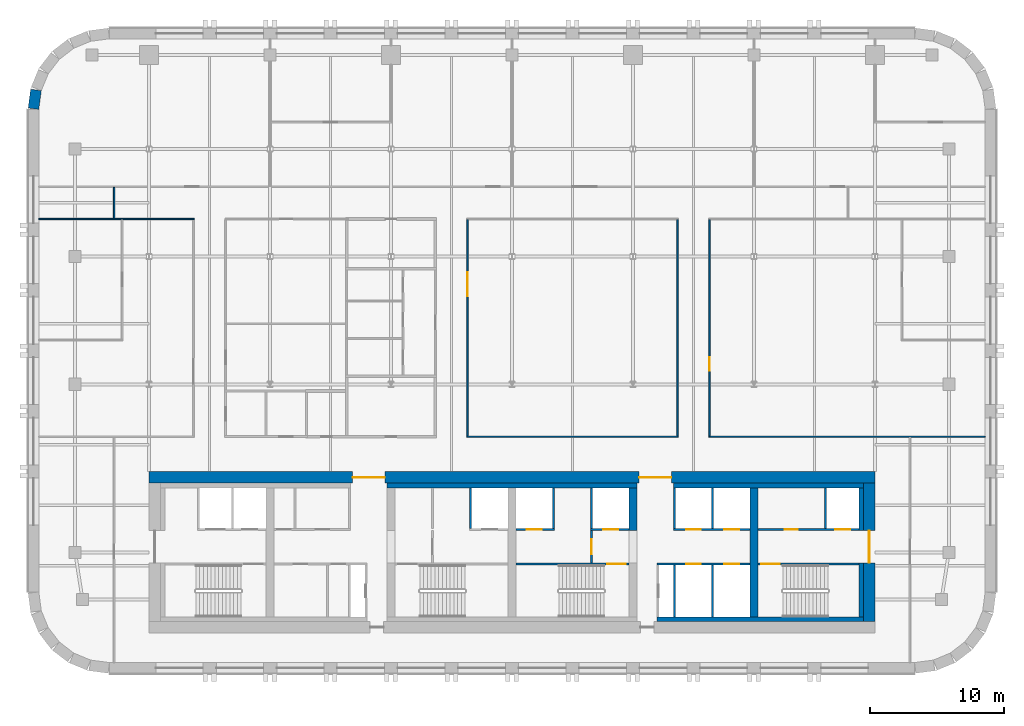
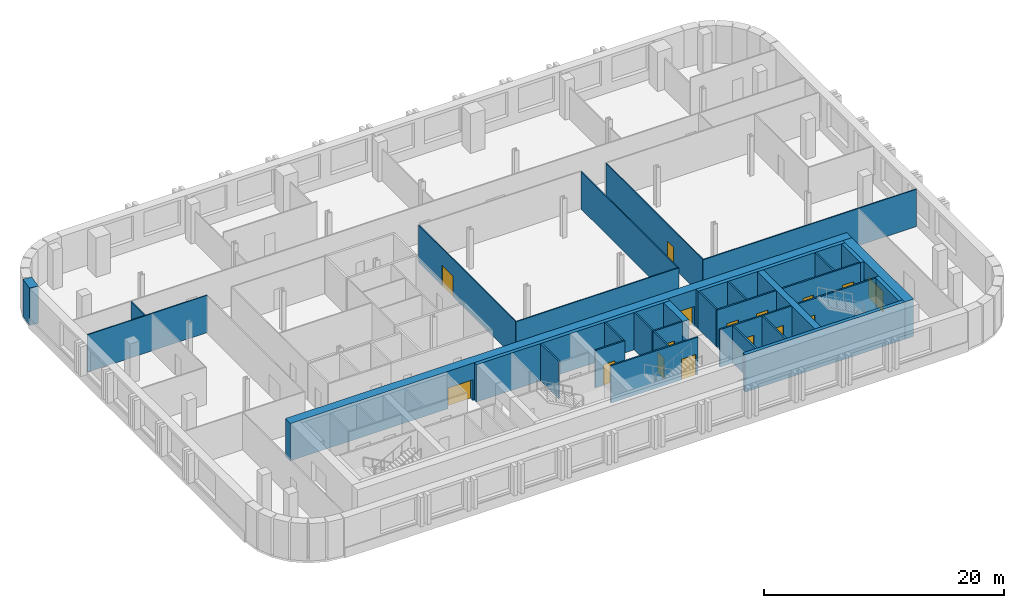
# One storey, part 5 of 10: 33 walls, 16 doors, 16 openings.
"""IFC4 building model written with IfcOpenShell, lengths in metres."""

from ifc_helpers import new_model, si_unit, direction, frame, frame_2d, origin, place, context, subcontext, project, spatial, rectangle, extrude, material, layer, layer_set, type_object, element, fill, save


model = new_model("IFC4")

# Units and contexts
model_context = context("Model", 3, precision=1e-05, world=origin(), true_north=direction((0.0, 1.0)))
body_context = subcontext(model_context, "Body", "Model", "MODEL_VIEW")
ifc_project = project(units=[si_unit("LENGTHUNIT", "METRE"), si_unit("AREAUNIT", "SQUARE_METRE"), si_unit("VOLUMEUNIT", "CUBIC_METRE"), si_unit("PLANEANGLEUNIT", "RADIAN"), si_unit("MASSUNIT", "GRAM", prefix="KILO")], contexts=[model_context])

# Site, building, storey
site_placement = place(None, origin())
site = spatial("IfcSite", under=ifc_project, at=site_placement, CompositionType="ELEMENT")
building_placement = place(site_placement, origin())
building = spatial("IfcBuilding", under=site, at=building_placement, Name="Zellij Exchange Tower", CompositionType="ELEMENT")
storey_placement = place(building_placement, frame((0.0, 0.0, 168.5)))
storey = spatial("IfcBuildingStorey", under=building, at=storey_placement, Name="L38", CompositionType="ELEMENT", Elevation=168.5)

# Walls
ifc_material_1 = material(Name="Concrete C60/75", Category="concrete")
ifc_layer_1 = layer(ifc_material_1, 0.60009765625)
ifc_layer_set_1 = layer_set([ifc_layer_1], Name="Concrete C60/75")
wall_type_1 = type_object("IfcWallType", Name="CORE-CW 600 C60/75", PredefinedType="SHEAR", material=ifc_layer_set_1)
wall_1_placement = place(storey_placement, frame((9.0, -6.375, 0.0), z_axis=(0.0, 0.0, 1.0), x_axis=(0.0, 1.0, 0.0)))
element("IfcWall", 1, at=wall_1_placement, inside=storey, type_object=wall_type_1, Name="Core cross wall pier x 9 b L38", PredefinedType="SHEAR", context=body_context, shape_type="SweptSolid", body=[
    extrude(rectangle(XDim=3.175048828125, YDim=0.60009765625, at=frame_2d((1.58740234375, 0.0))), origin(), (0.0, 0.0, 1.0), 3.800048828125),
])
wall_2_placement = place(storey_placement, frame((18.0, -12.800048828125, 0.0), z_axis=(0.0, 0.0, 1.0), x_axis=(0.0, 1.0, 0.0)))
element("IfcWall", 2, at=wall_2_placement, inside=storey, type_object=wall_type_1, Name="Core cross wall x 18 L38", PredefinedType="SHEAR", context=body_context, shape_type="SweptSolid", body=[
    extrude(rectangle(XDim=9.60009765625, YDim=0.60009765625, at=frame_2d((4.800048828125, 0.0))), origin(), (0.0, 0.0, 1.0), 3.800048828125),
])
ifc_material_2 = material(Name="Concrete C30/37", Category="concrete")
ifc_layer_2 = layer(ifc_material_2, 0.35009765625)
ifc_layer_set_2 = layer_set([ifc_layer_2], Name="Concrete C30/37")
wall_type_2 = type_object("IfcWallType", Name="CORE-LW 350 C30/37", PredefinedType="SHEAR", material=ifc_layer_set_2)
wall_3_placement = place(storey_placement, frame((-9.300048828125, -3.02490234375, 0.0), z_axis=(0.0, 0.0, 1.0), x_axis=(1.0, 0.0, 0.0)))
element("IfcWall", 3, at=wall_3_placement, inside=storey, type_object=wall_type_2, Name="Core wall lining front.1 L38", PredefinedType="SHEAR", context=body_context, shape_type="SweptSolid", body=[
    extrude(rectangle(XDim=18.60009765625, YDim=0.35009765625, at=frame_2d((9.300048828125, 0.0))), origin(), (0.0, 0.0, 1.0), 3.800048828125),
])
wall_4_placement = place(storey_placement, frame((12.0, -3.02490234375, 0.0), z_axis=(0.0, 0.0, 1.0), x_axis=(1.0, 0.0, 0.0)))
element("IfcWall", 4, at=wall_4_placement, inside=storey, type_object=wall_type_2, Name="Core wall lining front.2 L38", PredefinedType="SHEAR", context=body_context, shape_type="SweptSolid", body=[
    extrude(rectangle(XDim=14.14990234375, YDim=0.35009765625, at=frame_2d((7.074951171875, 0.0))), origin(), (0.0, 0.0, 1.0), 3.800048828125),
])
wall_5_placement = place(storey_placement, frame((10.800048828125, -12.97509765625, 0.0), z_axis=(0.0, 0.0, 1.0), x_axis=(1.0, 0.0, 0.0)))
element("IfcWall", 5, at=wall_5_placement, inside=storey, type_object=wall_type_2, Name="Core wall lining rear.2 L38", PredefinedType="SHEAR", context=body_context, shape_type="SweptSolid", body=[
    extrude(rectangle(XDim=15.349853515625, YDim=0.35009765625, at=frame_2d((7.6748046875, 0.0))), origin(), (0.0, 0.0, 1.0), 3.800048828125),
])
wall_6_placement = place(storey_placement, frame((25.97509765625, -12.800048828125, 0.0), z_axis=(0.0, 0.0, 1.0), x_axis=(0.0, 1.0, 0.0)))
element("IfcWall", 6, at=wall_6_placement, inside=storey, type_object=wall_type_2, Name="Core wall lining end e.0 L38", PredefinedType="SHEAR", context=body_context, shape_type="SweptSolid", body=[
    extrude(rectangle(XDim=4.0, YDim=0.35009765625, at=frame_2d((2.0, 0.0))), origin(), (0.0, 0.0, 1.0), 3.800048828125),
])
wall_7_placement = place(storey_placement, frame((25.97509765625, -6.375, 0.0), z_axis=(0.0, 0.0, 1.0), x_axis=(0.0, 1.0, 0.0)))
element("IfcWall", 7, at=wall_7_placement, inside=storey, type_object=wall_type_2, Name="Core wall lining end e.1 L38", PredefinedType="SHEAR", context=body_context, shape_type="SweptSolid", body=[
    extrude(rectangle(XDim=3.175048828125, YDim=0.35009765625, at=frame_2d((1.58740234375, 0.0))), origin(), (0.0, 0.0, 1.0), 3.800048828125),
])

# Wall, opening, door
ifc_material_3 = material(Name="Gypsum shaft wall system")
ifc_layer_3 = layer(ifc_material_3, 0.14990234375)
ifc_layer_set_3 = layer_set([ifc_layer_3], Name="Gypsum shaft wall system")
wall_type_3 = type_object("IfcWallType", Name="CORE-PW 150 Firefighting lobby wall", PredefinedType="PARTITIONING", material=ifc_layer_set_3)
wall_8_placement = place(storey_placement, frame((5.925048828125, -8.800048828125, 0.0), z_axis=(0.0, 0.0, 1.0), x_axis=(0.0, 1.0, 0.0)))
wall_8 = element("IfcWall", 8, at=wall_8_placement, inside=storey, type_object=wall_type_3, Name="Firefighting lobby wall L38", PredefinedType="PARTITIONING", context=body_context, shape_type="SweptSolid", body=[
    extrude(rectangle(XDim=2.425048828125, YDim=0.14990234375, at=frame_2d((1.21240234375, 0.0))), origin(), (0.0, 0.0, 1.0), 3.800048828125),
])
opening_1_placement = place(wall_8_placement, frame((0.662109375, 0.0, 0.0)))
opening_1 = element("IfcOpeningElement", 9, at=opening_1_placement, cuts=wall_8, Name="Opening CA-21.16", PredefinedType="OPENING", context=body_context, shape_type="SweptSolid", body=[
    extrude(rectangle(XDim=1.10009765625, YDim=2.10009765625, at=frame_2d((0.550048828125, 1.050048828125))), frame((0.0, 0.0869140625, 0.0), z_axis=(0.0, -1.0, 0.0), x_axis=(1.0, 0.0, 0.0)), (0.0, 0.0, 1.0), 0.173828125),
])
ifc_material_4 = material(Name="Hollow metal fire door")
door_type_1 = type_object("IfcDoorType", Name="CORE-D F Firefighting lobby door 1100x2100 1 HR", OperationType="NOTDEFINED", PredefinedType="DOOR", material=ifc_material_4)
door_1_placement = place(opening_1_placement, origin())
door_1 = element("IfcDoor", 10, at=door_1_placement, inside=storey, type_object=door_type_1, Name="Firefighting lobby door CA-21.16", OperationType="SINGLE_SWING_RIGHT", OverallHeight=2.10009765625, OverallWidth=1.10009765625, PredefinedType="DOOR", context=body_context, shape_type="SweptSolid", body=[
    extrude(rectangle(XDim=1.10009765625, YDim=2.10009765625, at=frame_2d((0.550048828125, 1.050048828125))), frame((0.0, 0.02490234375, 0.0), z_axis=(0.0, -1.0, 0.0), x_axis=(1.0, 0.0, 0.0)), (0.0, 0.0, 1.0), 0.050048828125),
])
fill(opening_1, door_1)

# Walls
ifc_layer_4 = layer(ifc_material_3, 0.14990234375)
ifc_layer_set_4 = layer_set([ifc_layer_4], Name="Gypsum shaft wall system")
wall_type_4 = type_object("IfcWallType", Name="CORE-PW 150 Lift shaft wall", PredefinedType="PARTITIONING", material=ifc_layer_set_4)
for number, where, z_axis, x_axis, name in (
    (11, (-3.074951171875, -6.22509765625, 0.0), (0.0, 0.0, 1.0), (0.0, 1.0, 0.0), "Lift shaft wall L38"),
    (12, (3.074951171875, -6.22509765625, 0.0), (0.0, 0.0, 1.0), (0.0, 1.0, 0.0), "Lift shaft wall L38"),
    (13, (5.925048828125, -6.22509765625, 0.0), (0.0, 0.0, 1.0), (0.0, 1.0, 0.0), "Lift shaft wall L38"),
    (14, (12.074951171875, -6.22509765625, 0.0), (0.0, 0.0, 1.0), (0.0, 1.0, 0.0), "Lift shaft wall L38"),
    (15, (14.925048828125, -6.22509765625, 0.0), (0.0, 0.0, 1.0), (0.0, 1.0, 0.0), "Lift shaft wall L38"),
    (16, (23.324951171875, -6.22509765625, 0.0), (0.0, 0.0, 1.0), (0.0, 1.0, 0.0), "Lift shaft wall L38"),
):
    element("IfcWall", number, at=place(storey_placement, frame(where, z_axis=z_axis, x_axis=x_axis)), inside=storey, type_object=wall_type_4, Name=name, PredefinedType="PARTITIONING", context=body_context, shape_type="SweptSolid", body=[
        extrude(rectangle(XDim=3.025146484375, YDim=0.14990234375, at=frame_2d((1.5126953125, 0.0))), origin(), (0.0, 0.0, 1.0), 3.800048828125),
    ])
for number, where, z_axis, x_axis, name in (
    (17, (12.074951171875, -12.800048828125, 0.0), (0.0, 0.0, 1.0), (0.0, 1.0, 0.0), "Lift shaft wall L38"),
    (18, (14.925048828125, -12.800048828125, 0.0), (0.0, 0.0, 1.0), (0.0, 1.0, 0.0), "Lift shaft wall L38"),
):
    element("IfcWall", number, at=place(storey_placement, frame(where, z_axis=z_axis, x_axis=x_axis)), inside=storey, type_object=wall_type_4, Name=name, PredefinedType="PARTITIONING", context=body_context, shape_type="SweptSolid", body=[
        extrude(rectangle(XDim=3.85009765625, YDim=0.14990234375, at=frame_2d((1.925048828125, 0.0))), origin(), (0.0, 0.0, 1.0), 3.800048828125),
    ])

# Wall, opening, door
wall_9_placement = place(storey_placement, frame((0.300048828125, -6.300048828125, 0.0), z_axis=(0.0, 0.0, 1.0), x_axis=(1.0, 0.0, 0.0)))
wall_9 = element("IfcWall", 19, at=wall_9_placement, inside=storey, type_object=wall_type_4, Name="Lift shaft wall L38", PredefinedType="PARTITIONING", context=body_context, shape_type="SweptSolid", body=[
    extrude(rectangle(XDim=2.849853515625, YDim=0.14990234375, at=frame_2d((1.4248046875, 0.0))), origin(), (0.0, 0.0, 1.0), 3.800048828125),
])
opening_2_placement = place(wall_9_placement, frame((0.800048828125, 0.0, 0.0)))
opening_2 = element("IfcOpeningElement", 20, at=opening_2_placement, cuts=wall_9, Name="Opening CA-21.15", PredefinedType="OPENING", context=body_context, shape_type="SweptSolid", body=[
    extrude(rectangle(XDim=1.10009765625, YDim=2.10009765625, at=frame_2d((0.550048828125, 1.050048828125))), frame((0.0, 0.0869140625, 0.0), z_axis=(0.0, -1.0, 0.0), x_axis=(1.0, 0.0, 0.0)), (0.0, 0.0, 1.0), 0.173828125),
])
door_type_2 = type_object("IfcDoorType", Name="CORE-D LD Lift landing door 1100x2100 1.5 HR", OperationType="NOTDEFINED", PredefinedType="DOOR", material=ifc_material_4)
door_2_placement = place(opening_2_placement, origin())
door_2 = element("IfcDoor", 21, at=door_2_placement, inside=storey, type_object=door_type_2, Name="Lift landing door CA-21.15", OperationType="SLIDING_TO_LEFT", OverallHeight=2.10009765625, OverallWidth=1.10009765625, PredefinedType="DOOR", context=body_context, shape_type="SweptSolid", body=[
    extrude(rectangle(XDim=1.10009765625, YDim=2.10009765625, at=frame_2d((0.550048828125, 1.050048828125))), frame((0.0, 0.02490234375, 0.0), z_axis=(0.0, -1.0, 0.0), x_axis=(1.0, 0.0, 0.0)), (0.0, 0.0, 1.0), 0.050048828125),
])
fill(opening_2, door_2)

wall_10_placement = place(storey_placement, frame((5.85009765625, -6.300048828125, 0.0), z_axis=(0.0, 0.0, 1.0), x_axis=(1.0, 0.0, 0.0)))
wall_10 = element("IfcWall", 22, at=wall_10_placement, inside=storey, type_object=wall_type_4, Name="Lift shaft wall L38", PredefinedType="PARTITIONING", context=body_context, shape_type="SweptSolid", body=[
    extrude(rectangle(XDim=2.849853515625, YDim=0.14990234375, at=frame_2d((1.4248046875, 0.0))), origin(), (0.0, 0.0, 1.0), 3.800048828125),
])
opening_3_placement = place(wall_10_placement, frame((0.949951171875, 0.0, 0.0)))
opening_3 = element("IfcOpeningElement", 23, at=opening_3_placement, cuts=wall_10, Name="Opening CA-21.17", PredefinedType="OPENING", context=body_context, shape_type="SweptSolid", body=[
    extrude(rectangle(XDim=1.10009765625, YDim=2.10009765625, at=frame_2d((0.550048828125, 1.050048828125))), frame((0.0, 0.0869140625, 0.0), z_axis=(0.0, -1.0, 0.0), x_axis=(1.0, 0.0, 0.0)), (0.0, 0.0, 1.0), 0.173828125),
])
door_3_placement = place(opening_3_placement, origin())
door_3 = element("IfcDoor", 24, at=door_3_placement, inside=storey, type_object=door_type_2, Name="Lift landing door CA-21.17", OperationType="SLIDING_TO_LEFT", OverallHeight=2.10009765625, OverallWidth=1.10009765625, PredefinedType="DOOR", context=body_context, shape_type="SweptSolid", body=[
    extrude(rectangle(XDim=1.10009765625, YDim=2.10009765625, at=frame_2d((0.550048828125, 1.050048828125))), frame((0.0, 0.02490234375, 0.0), z_axis=(0.0, -1.0, 0.0), x_axis=(1.0, 0.0, 0.0)), (0.0, 0.0, 1.0), 0.050048828125),
])
fill(opening_3, door_3)

# Wall, openings, doors
wall_11_placement = place(storey_placement, frame((12.0, -6.300048828125, 0.0), z_axis=(0.0, 0.0, 1.0), x_axis=(1.0, 0.0, 0.0)))
wall_11 = element("IfcWall", 25, at=wall_11_placement, inside=storey, type_object=wall_type_4, Name="Lift shaft wall L38", PredefinedType="PARTITIONING", context=body_context, shape_type="SweptSolid", body=[
    extrude(rectangle(XDim=5.699951171875, YDim=0.14990234375, at=frame_2d((2.85009765625, 0.0))), origin(), (0.0, 0.0, 1.0), 3.800048828125),
])
opening_4_placement = place(wall_11_placement, frame((0.949951171875, 0.0, 0.0)))
opening_4 = element("IfcOpeningElement", 26, at=opening_4_placement, cuts=wall_11, Name="Opening CA-21.23", PredefinedType="OPENING", context=body_context, shape_type="SweptSolid", body=[
    extrude(rectangle(XDim=1.10009765625, YDim=2.10009765625, at=frame_2d((0.550048828125, 1.050048828125))), frame((0.0, 0.0869140625, 0.0), z_axis=(0.0, -1.0, 0.0), x_axis=(1.0, 0.0, 0.0)), (0.0, 0.0, 1.0), 0.173828125),
])
opening_5_placement = place(wall_11_placement, frame((3.800048828125, 0.0, 0.0)))
opening_5 = element("IfcOpeningElement", 27, at=opening_5_placement, cuts=wall_11, Name="Opening CA-21.25", PredefinedType="OPENING", context=body_context, shape_type="SweptSolid", body=[
    extrude(rectangle(XDim=1.10009765625, YDim=2.10009765625, at=frame_2d((0.550048828125, 1.050048828125))), frame((0.0, 0.0869140625, 0.0), z_axis=(0.0, -1.0, 0.0), x_axis=(1.0, 0.0, 0.0)), (0.0, 0.0, 1.0), 0.173828125),
])
door_4_placement = place(opening_4_placement, origin())
door_4 = element("IfcDoor", 28, at=door_4_placement, inside=storey, type_object=door_type_2, Name="Lift landing door CA-21.23", OperationType="SLIDING_TO_LEFT", OverallHeight=2.10009765625, OverallWidth=1.10009765625, PredefinedType="DOOR", context=body_context, shape_type="SweptSolid", body=[
    extrude(rectangle(XDim=1.10009765625, YDim=2.10009765625, at=frame_2d((0.550048828125, 1.050048828125))), frame((0.0, 0.02490234375, 0.0), z_axis=(0.0, -1.0, 0.0), x_axis=(1.0, 0.0, 0.0)), (0.0, 0.0, 1.0), 0.050048828125),
])
fill(opening_4, door_4)
door_5_placement = place(opening_5_placement, origin())
door_5 = element("IfcDoor", 29, at=door_5_placement, inside=storey, type_object=door_type_2, Name="Lift landing door CA-21.25", OperationType="SLIDING_TO_LEFT", OverallHeight=2.10009765625, OverallWidth=1.10009765625, PredefinedType="DOOR", context=body_context, shape_type="SweptSolid", body=[
    extrude(rectangle(XDim=1.10009765625, YDim=2.10009765625, at=frame_2d((0.550048828125, 1.050048828125))), frame((0.0, 0.02490234375, 0.0), z_axis=(0.0, -1.0, 0.0), x_axis=(1.0, 0.0, 0.0)), (0.0, 0.0, 1.0), 0.050048828125),
])
fill(opening_5, door_5)

wall_12_placement = place(storey_placement, frame((18.300048828125, -6.300048828125, 0.0), z_axis=(0.0, 0.0, 1.0), x_axis=(1.0, 0.0, 0.0)))
wall_12 = element("IfcWall", 30, at=wall_12_placement, inside=storey, type_object=wall_type_4, Name="Lift shaft wall L38", PredefinedType="PARTITIONING", context=body_context, shape_type="SweptSolid", body=[
    extrude(rectangle(XDim=7.5, YDim=0.14990234375, at=frame_2d((3.75, 0.0))), origin(), (0.0, 0.0, 1.0), 3.800048828125),
])
opening_6_placement = place(wall_12_placement, frame((1.97509765625, 0.0, 0.0)))
opening_6 = element("IfcOpeningElement", 31, at=opening_6_placement, cuts=wall_12, Name="Opening CA-21.27", PredefinedType="OPENING", context=body_context, shape_type="SweptSolid", body=[
    extrude(rectangle(XDim=1.0, YDim=2.10009765625, at=frame_2d((0.5, 1.050048828125))), frame((0.0, 0.0869140625, 0.0), z_axis=(0.0, -1.0, 0.0), x_axis=(1.0, 0.0, 0.0)), (0.0, 0.0, 1.0), 0.173828125),
])
opening_7_placement = place(wall_12_placement, frame((5.75, 0.0, 0.0)))
opening_7 = element("IfcOpeningElement", 32, at=opening_7_placement, cuts=wall_12, Name="Opening CA-21.28", PredefinedType="OPENING", context=body_context, shape_type="SweptSolid", body=[
    extrude(rectangle(XDim=1.10009765625, YDim=2.10009765625, at=frame_2d((0.550048828125, 1.050048828125))), frame((0.0, 0.0869140625, 0.0), z_axis=(0.0, -1.0, 0.0), x_axis=(1.0, 0.0, 0.0)), (0.0, 0.0, 1.0), 0.173828125),
])
door_type_3 = type_object("IfcDoorType", Name="CORE-D CD Core room door 1000x2100 1 HR", OperationType="NOTDEFINED", PredefinedType="DOOR", material=ifc_material_4)
door_6_placement = place(opening_6_placement, origin())
door_6 = element("IfcDoor", 33, at=door_6_placement, inside=storey, type_object=door_type_3, Name="Core room door CA-21.27", OperationType="SINGLE_SWING_LEFT", OverallHeight=2.10009765625, OverallWidth=1.0, PredefinedType="DOOR", context=body_context, shape_type="SweptSolid", body=[
    extrude(rectangle(XDim=1.0, YDim=2.10009765625, at=frame_2d((0.5, 1.050048828125))), frame((0.0, 0.02490234375, 0.0), z_axis=(0.0, -1.0, 0.0), x_axis=(1.0, 0.0, 0.0)), (0.0, 0.0, 1.0), 0.050048828125),
])
fill(opening_6, door_6)
door_7_placement = place(opening_7_placement, origin())
door_7 = element("IfcDoor", 34, at=door_7_placement, inside=storey, type_object=door_type_2, Name="Lift landing door CA-21.28", OperationType="SLIDING_TO_RIGHT", OverallHeight=2.10009765625, OverallWidth=1.10009765625, PredefinedType="DOOR", context=body_context, shape_type="SweptSolid", body=[
    extrude(rectangle(XDim=1.10009765625, YDim=2.10009765625, at=frame_2d((0.550048828125, 1.050048828125))), frame((0.0, 0.02490234375, 0.0), z_axis=(0.0, -1.0, 0.0), x_axis=(1.0, 0.0, 0.0)), (0.0, 0.0, 1.0), 0.050048828125),
])
fill(opening_7, door_7)

wall_13_placement = place(storey_placement, frame((10.800048828125, -8.875, 0.0), z_axis=(0.0, 0.0, 1.0), x_axis=(1.0, 0.0, 0.0)))
wall_13 = element("IfcWall", 35, at=wall_13_placement, inside=storey, type_object=wall_type_4, Name="Lift shaft wall L38", PredefinedType="PARTITIONING", context=body_context, shape_type="SweptSolid", body=[
    extrude(rectangle(XDim=6.89990234375, YDim=0.14990234375, at=frame_2d((3.449951171875, 0.0))), origin(), (0.0, 0.0, 1.0), 3.800048828125),
])
opening_8_placement = place(wall_13_placement, frame((2.14990234375, 0.0, 0.0)))
opening_8 = element("IfcOpeningElement", 36, at=opening_8_placement, cuts=wall_13, Name="Opening CA-21.22", PredefinedType="OPENING", context=body_context, shape_type="SweptSolid", body=[
    extrude(rectangle(XDim=1.10009765625, YDim=2.10009765625, at=frame_2d((0.550048828125, 1.050048828125))), frame((0.0, 0.0869140625, 0.0), z_axis=(0.0, -1.0, 0.0), x_axis=(1.0, 0.0, 0.0)), (0.0, 0.0, 1.0), 0.173828125),
])
opening_9_placement = place(wall_13_placement, frame((5.0, 0.0, 0.0)))
opening_9 = element("IfcOpeningElement", 37, at=opening_9_placement, cuts=wall_13, Name="Opening CA-21.24", PredefinedType="OPENING", context=body_context, shape_type="SweptSolid", body=[
    extrude(rectangle(XDim=1.10009765625, YDim=2.10009765625, at=frame_2d((0.550048828125, 1.050048828125))), frame((0.0, 0.0869140625, 0.0), z_axis=(0.0, -1.0, 0.0), x_axis=(1.0, 0.0, 0.0)), (0.0, 0.0, 1.0), 0.173828125),
])
door_8_placement = place(opening_8_placement, origin())
door_8 = element("IfcDoor", 38, at=door_8_placement, inside=storey, type_object=door_type_2, Name="Lift landing door CA-21.22", OperationType="SLIDING_TO_RIGHT", OverallHeight=2.10009765625, OverallWidth=1.10009765625, PredefinedType="DOOR", context=body_context, shape_type="SweptSolid", body=[
    extrude(rectangle(XDim=1.10009765625, YDim=2.10009765625, at=frame_2d((0.550048828125, 1.050048828125))), frame((0.0, 0.02490234375, 0.0), z_axis=(0.0, -1.0, 0.0), x_axis=(1.0, 0.0, 0.0)), (0.0, 0.0, 1.0), 0.050048828125),
])
fill(opening_8, door_8)
door_9_placement = place(opening_9_placement, origin())
door_9 = element("IfcDoor", 39, at=door_9_placement, inside=storey, type_object=door_type_2, Name="Lift landing door CA-21.24", OperationType="SLIDING_TO_RIGHT", OverallHeight=2.10009765625, OverallWidth=1.10009765625, PredefinedType="DOOR", context=body_context, shape_type="SweptSolid", body=[
    extrude(rectangle(XDim=1.10009765625, YDim=2.10009765625, at=frame_2d((0.550048828125, 1.050048828125))), frame((0.0, 0.02490234375, 0.0), z_axis=(0.0, -1.0, 0.0), x_axis=(1.0, 0.0, 0.0)), (0.0, 0.0, 1.0), 0.050048828125),
])
fill(opening_9, door_9)

ifc_layer_5 = layer(ifc_material_1, 0.85009765625)
ifc_layer_set_5 = layer_set([ifc_layer_5], Name="Concrete C60/75")
wall_type_5 = type_object("IfcWallType", Name="CORE-SW 850 C60/75", PredefinedType="SHEAR", material=ifc_layer_set_5)
wall_14_placement = place(storey_placement, frame((-27.0, -2.425048828125, 0.0), z_axis=(0.0, 0.0, 1.0), x_axis=(1.0, 0.0, 0.0)))
wall_14 = element("IfcWall", 40, at=wall_14_placement, inside=storey, type_object=wall_type_5, Name="Core shear wall front L38", PredefinedType="SHEAR", context=body_context, shape_type="SweptSolid", body=[
    extrude(rectangle(XDim=54.0, YDim=0.85009765625, at=frame_2d((27.0, 0.0))), origin(), (0.0, 0.0, 1.0), 3.800048828125),
])
opening_10_placement = place(wall_14_placement, frame((15.14990234375, 0.0, 0.0)))
opening_10 = element("IfcOpeningElement", 41, at=opening_10_placement, cuts=wall_14, Name="Opening CA-21.10", PredefinedType="OPENING", context=body_context, shape_type="SweptSolid", body=[
    extrude(rectangle(XDim=2.39990234375, YDim=2.10009765625, at=frame_2d((1.199951171875, 1.050048828125))), frame((0.0, 0.43701171875, 0.0), z_axis=(0.0, -1.0, 0.0), x_axis=(1.0, 0.0, 0.0)), (0.0, 0.0, 1.0), 0.8740234375),
])
opening_11_placement = place(wall_14_placement, frame((36.449951171875, 0.0, 0.0)))
opening_11 = element("IfcOpeningElement", 42, at=opening_11_placement, cuts=wall_14, Name="Opening CA-21.20", PredefinedType="OPENING", context=body_context, shape_type="SweptSolid", body=[
    extrude(rectangle(XDim=2.39990234375, YDim=2.10009765625, at=frame_2d((1.199951171875, 1.050048828125))), frame((0.0, 0.43701171875, 0.0), z_axis=(0.0, -1.0, 0.0), x_axis=(1.0, 0.0, 0.0)), (0.0, 0.0, 1.0), 0.8740234375),
])
door_type_4 = type_object("IfcDoorType", Name="CORE-D CE Core entrance door 2400x2100 20 MIN", OperationType="NOTDEFINED", PredefinedType="DOOR", material=ifc_material_4)
door_10_placement = place(opening_10_placement, origin())
door_10 = element("IfcDoor", 43, at=door_10_placement, inside=storey, type_object=door_type_4, Name="Core entrance door CA-21.10", OperationType="DOUBLE_DOOR_SINGLE_SWING", OverallHeight=2.10009765625, OverallWidth=2.39990234375, PredefinedType="DOOR", context=body_context, shape_type="SweptSolid", body=[
    extrude(rectangle(XDim=2.39990234375, YDim=2.10009765625, at=frame_2d((1.199951171875, 1.050048828125))), frame((0.0, 0.02490234375, 0.0), z_axis=(0.0, -1.0, 0.0), x_axis=(1.0, 0.0, 0.0)), (0.0, 0.0, 1.0), 0.050048828125),
])
fill(opening_10, door_10)
door_11_placement = place(opening_11_placement, origin())
door_11 = element("IfcDoor", 44, at=door_11_placement, inside=storey, type_object=door_type_4, Name="Core entrance door CA-21.20", OperationType="DOUBLE_DOOR_SINGLE_SWING", OverallHeight=2.10009765625, OverallWidth=2.39990234375, PredefinedType="DOOR", context=body_context, shape_type="SweptSolid", body=[
    extrude(rectangle(XDim=2.39990234375, YDim=2.10009765625, at=frame_2d((1.199951171875, 1.050048828125))), frame((0.0, 0.02490234375, 0.0), z_axis=(0.0, -1.0, 0.0), x_axis=(1.0, 0.0, 0.0)), (0.0, 0.0, 1.0), 0.050048828125),
])
fill(opening_11, door_11)

# Wall, opening, door
wall_15_placement = place(storey_placement, frame((26.574951171875, -13.14990234375, 0.0), z_axis=(0.0, 0.0, 1.0), x_axis=(0.0, 1.0, 0.0)))
wall_15 = element("IfcWall", 45, at=wall_15_placement, inside=storey, type_object=wall_type_5, Name="Core shear wall end e L38", PredefinedType="SHEAR", context=body_context, shape_type="SweptSolid", body=[
    extrude(rectangle(XDim=10.2998046875, YDim=0.85009765625, at=frame_2d((5.14990234375, 0.0))), origin(), (0.0, 0.0, 1.0), 3.800048828125),
])
opening_12_placement = place(wall_15_placement, frame((4.362060546875, 0.0, 0.0)))
opening_12 = element("IfcOpeningElement", 46, at=opening_12_placement, cuts=wall_15, Name="Opening CA-21.29", PredefinedType="OPENING", context=body_context, shape_type="SweptSolid", body=[
    extrude(rectangle(XDim=2.39990234375, YDim=2.10009765625, at=frame_2d((1.199951171875, 1.050048828125))), frame((0.0, 0.43701171875, 0.0), z_axis=(0.0, -1.0, 0.0), x_axis=(1.0, 0.0, 0.0)), (0.0, 0.0, 1.0), 0.8740234375),
])
door_12_placement = place(opening_12_placement, origin())
door_12 = element("IfcDoor", 47, at=door_12_placement, inside=storey, type_object=door_type_4, Name="Core entrance door CA-21.29", OperationType="DOUBLE_DOOR_SINGLE_SWING", OverallHeight=2.10009765625, OverallWidth=2.39990234375, PredefinedType="DOOR", context=body_context, shape_type="SweptSolid", body=[
    extrude(rectangle(XDim=2.39990234375, YDim=2.10009765625, at=frame_2d((1.199951171875, 1.050048828125))), frame((0.0, 0.02490234375, 0.0), z_axis=(0.0, -1.0, 0.0), x_axis=(1.0, 0.0, 0.0)), (0.0, 0.0, 1.0), 0.050048828125),
])
fill(opening_12, door_12)

ifc_layer_6 = layer(ifc_material_1, 0.14990234375)
ifc_layer_set_6 = layer_set([ifc_layer_6], Name="Concrete C60/75")
wall_type_6 = type_object("IfcWallType", Name="CORE-SWS 150 C60/75", PredefinedType="SHEAR", material=ifc_layer_set_6)
wall_16_placement = place(storey_placement, frame((0.300048828125, -8.875, 0.0), z_axis=(0.0, 0.0, 1.0), x_axis=(1.0, 0.0, 0.0)))
wall_16 = element("IfcWall", 48, at=wall_16_placement, inside=storey, type_object=wall_type_6, Name="Stair enclosure wall L38", PredefinedType="SHEAR", context=body_context, shape_type="SweptSolid", body=[
    extrude(rectangle(XDim=8.39990234375, YDim=0.14990234375, at=frame_2d((4.199951171875, 0.0))), origin(), (0.0, 0.0, 1.0), 3.800048828125),
])
opening_13_placement = place(wall_16_placement, frame((6.77490234375, 0.0, 0.0)))
opening_13 = element("IfcOpeningElement", 49, at=opening_13_placement, cuts=wall_16, Name="Opening CA-21.18", PredefinedType="OPENING", context=body_context, shape_type="SweptSolid", body=[
    extrude(rectangle(XDim=1.39990234375, YDim=2.10009765625, at=frame_2d((0.699951171875, 1.050048828125))), frame((0.0, 0.0869140625, 0.0), z_axis=(0.0, -1.0, 0.0), x_axis=(1.0, 0.0, 0.0)), (0.0, 0.0, 1.0), 0.173828125),
])
door_type_5 = type_object("IfcDoorType", Name="CORE-D SD Stair door 1400x2100 1.5 HR", OperationType="NOTDEFINED", PredefinedType="DOOR", material=ifc_material_4)
door_13_placement = place(opening_13_placement, origin())
door_13 = element("IfcDoor", 50, at=door_13_placement, inside=storey, type_object=door_type_5, Name="Stair door CA-21.18", OperationType="DOUBLE_DOOR_SINGLE_SWING", OverallHeight=2.10009765625, OverallWidth=1.39990234375, PredefinedType="DOOR", context=body_context, shape_type="SweptSolid", body=[
    extrude(rectangle(XDim=1.39990234375, YDim=2.10009765625, at=frame_2d((0.699951171875, 1.050048828125))), frame((0.0, 0.02490234375, 0.0), z_axis=(0.0, -1.0, 0.0), x_axis=(1.0, 0.0, 0.0)), (0.0, 0.0, 1.0), 0.050048828125),
])
fill(opening_13, door_13)

wall_17_placement = place(storey_placement, frame((18.300048828125, -8.875, 0.0), z_axis=(0.0, 0.0, 1.0), x_axis=(1.0, 0.0, 0.0)))
wall_17 = element("IfcWall", 51, at=wall_17_placement, inside=storey, type_object=wall_type_6, Name="Stair enclosure wall L38", PredefinedType="SHEAR", context=body_context, shape_type="SweptSolid", body=[
    extrude(rectangle(XDim=7.5, YDim=0.14990234375, at=frame_2d((3.75, 0.0))), origin(), (0.0, 0.0, 1.0), 3.800048828125),
])
opening_14_placement = place(wall_17_placement, frame((0.22509765625, 0.0, 0.0)))
opening_14 = element("IfcOpeningElement", 52, at=opening_14_placement, cuts=wall_17, Name="Opening CA-21.26", PredefinedType="OPENING", context=body_context, shape_type="SweptSolid", body=[
    extrude(rectangle(XDim=1.39990234375, YDim=2.10009765625, at=frame_2d((0.699951171875, 1.050048828125))), frame((0.0, 0.0869140625, 0.0), z_axis=(0.0, -1.0, 0.0), x_axis=(1.0, 0.0, 0.0)), (0.0, 0.0, 1.0), 0.173828125),
])
door_14_placement = place(opening_14_placement, origin())
door_14 = element("IfcDoor", 53, at=door_14_placement, inside=storey, type_object=door_type_5, Name="Stair door CA-21.26", OperationType="DOUBLE_DOOR_SINGLE_SWING", OverallHeight=2.10009765625, OverallWidth=1.39990234375, PredefinedType="DOOR", context=body_context, shape_type="SweptSolid", body=[
    extrude(rectangle(XDim=1.39990234375, YDim=2.10009765625, at=frame_2d((0.699951171875, 1.050048828125))), frame((0.0, 0.02490234375, 0.0), z_axis=(0.0, -1.0, 0.0), x_axis=(1.0, 0.0, 0.0)), (0.0, 0.0, 1.0), 0.050048828125),
])
fill(opening_14, door_14)

# Walls
ifc_material_5 = material(Name="Precast concrete C40/50", Category="concrete")
ifc_layer_7 = layer(ifc_material_5, 0.800048828125)
ifc_layer_set_7 = layer_set([ifc_layer_7], Name="Precast concrete C40/50")
wall_type_7 = type_object("IfcWallType", Name="ENV-EW1 Precast stone-piered wall 800", PredefinedType="SOLIDWALL", material=ifc_layer_set_7)
wall_18_placement = place(storey_placement, frame((-35.412841796875, 26.396240234375, 0.0), z_axis=(0.0, 0.0, 1.0), x_axis=(-0.130517283865, -0.99144603414, 0.0)))
element("IfcWall", 54, at=wall_18_placement, inside=storey, type_object=wall_type_7, Name="fac.L38.20", PredefinedType="SOLIDWALL", context=body_context, shape_type="SweptSolid", body=[
    extrude(rectangle(XDim=1.408447265625, YDim=0.800048828125, at=frame_2d((0.7041015625, 0.0))), origin(), (0.0, 0.0, 1.0), 3.800048828125),
])
ifc_material_6 = material(Name="Gypsum board partition on steel studs", Category="steel")
ifc_layer_8 = layer(ifc_material_6, 0.10009765625)
ifc_layer_set_8 = layer_set([ifc_layer_8], Name="Gypsum board partition on steel studs")
wall_type_8 = type_object("IfcWallType", Name="FIT-PARTITION-100", PredefinedType="PARTITIONING", material=ifc_layer_set_8)
wall_19_placement = place(storey_placement, frame((-3.35009765625, 0.60009765625, 0.0), z_axis=(0.0, 0.0, 1.0), x_axis=(1.0, 0.0, 0.0)))
element("IfcWall", 55, at=wall_19_placement, inside=storey, type_object=wall_type_8, Name="FIT-PARTITION-100 012", PredefinedType="PARTITIONING", context=body_context, shape_type="SweptSolid", body=[
    extrude(rectangle(XDim=15.7001953125, YDim=0.10009765625, at=frame_2d((7.85009765625, 0.0))), origin(), (0.0, 0.0, 1.0), 3.800048828125),
])

# Wall, opening, door
wall_20_placement = place(storey_placement, frame((-3.300048828125, 0.64990234375, 0.0), z_axis=(0.0, 0.0, 1.0), x_axis=(0.0, 1.0, 0.0)))
wall_20 = element("IfcWall", 56, at=wall_20_placement, inside=storey, type_object=wall_type_8, Name="FIT-PARTITION-100 013", PredefinedType="PARTITIONING", context=body_context, shape_type="SweptSolid", body=[
    extrude(rectangle(XDim=16.10009765625, YDim=0.10009765625, at=frame_2d((8.050048828125, 0.0))), origin(), (0.0, 0.0, 1.0), 3.800048828125),
])
opening_15_placement = place(wall_20_placement, frame((10.39990234375, 0.0, 0.0)))
opening_15 = element("IfcOpeningElement", 57, at=opening_15_placement, cuts=wall_20, Name="Opening O3A.14", PredefinedType="OPENING", context=body_context, shape_type="SweptSolid", body=[
    extrude(rectangle(XDim=1.800048828125, YDim=2.10009765625, at=frame_2d((0.89990234375, 1.050048828125))), frame((0.0, 0.06201171875, 0.0), z_axis=(0.0, -1.0, 0.0), x_axis=(1.0, 0.0, 0.0)), (0.0, 0.0, 1.0), 0.1240234375),
])
ifc_material_7 = material(Name="Timber door set", Category="wood")
door_type_6 = type_object("IfcDoorType", Name="FIT-D3-DOUBLE-1800X2100", OperationType="DOUBLE_DOOR_SINGLE_SWING", PredefinedType="DOOR", material=ifc_material_7)
door_15_placement = place(opening_15_placement, origin())
door_15 = element("IfcDoor", 58, at=door_15_placement, inside=storey, type_object=door_type_6, Name="Door O3A.14", OperationType="DOUBLE_DOOR_SINGLE_SWING", OverallHeight=2.10009765625, OverallWidth=1.800048828125, PredefinedType="DOOR", context=body_context, shape_type="SweptSolid", body=[
    extrude(rectangle(XDim=1.800048828125, YDim=2.10009765625, at=frame_2d((0.89990234375, 1.050048828125))), frame((0.0, 0.02490234375, 0.0), z_axis=(0.0, -1.0, 0.0), x_axis=(1.0, 0.0, 0.0)), (0.0, 0.0, 1.0), 0.050048828125),
])
fill(opening_15, door_15)

# Walls
wall_21_placement = place(storey_placement, frame((12.300048828125, 0.64990234375, 0.0), z_axis=(0.0, 0.0, 1.0), x_axis=(0.0, 1.0, 0.0)))
element("IfcWall", 59, at=wall_21_placement, inside=storey, type_object=wall_type_8, Name="FIT-PARTITION-100 014", PredefinedType="PARTITIONING", context=body_context, shape_type="SweptSolid", body=[
    extrude(rectangle(XDim=16.10009765625, YDim=0.10009765625, at=frame_2d((8.050048828125, 0.0))), origin(), (0.0, 0.0, 1.0), 3.800048828125),
])
wall_22_placement = place(storey_placement, frame((14.64990234375, 0.60009765625, 0.0), z_axis=(0.0, 0.0, 1.0), x_axis=(1.0, 0.0, 0.0)))
element("IfcWall", 60, at=wall_22_placement, inside=storey, type_object=wall_type_8, Name="FIT-PARTITION-100 015", PredefinedType="PARTITIONING", context=body_context, shape_type="SweptSolid", body=[
    extrude(rectangle(XDim=20.550048828125, YDim=0.10009765625, at=frame_2d((10.27490234375, 0.0))), origin(), (0.0, 0.0, 1.0), 3.800048828125),
])

# Wall, opening, door
wall_23_placement = place(storey_placement, frame((14.699951171875, 0.64990234375, 0.0), z_axis=(0.0, 0.0, 1.0), x_axis=(0.0, 1.0, 0.0)))
wall_23 = element("IfcWall", 61, at=wall_23_placement, inside=storey, type_object=wall_type_8, Name="FIT-PARTITION-100 016", PredefinedType="PARTITIONING", context=body_context, shape_type="SweptSolid", body=[
    extrude(rectangle(XDim=16.10009765625, YDim=0.10009765625, at=frame_2d((8.050048828125, 0.0))), origin(), (0.0, 0.0, 1.0), 3.800048828125),
])
opening_16_placement = place(wall_23_placement, frame((4.85009765625, 0.0, 0.0)))
opening_16 = element("IfcOpeningElement", 62, at=opening_16_placement, cuts=wall_23, Name="Opening O3A.08", PredefinedType="OPENING", context=body_context, shape_type="SweptSolid", body=[
    extrude(rectangle(XDim=1.0, YDim=2.10009765625, at=frame_2d((0.5, 1.050048828125))), frame((0.0, 0.06201171875, 0.0), z_axis=(0.0, -1.0, 0.0), x_axis=(1.0, 0.0, 0.0)), (0.0, 0.0, 1.0), 0.1240234375),
])
door_type_7 = type_object("IfcDoorType", Name="FIT-D2-WIDE-1000X2100", OperationType="SINGLE_SWING_LEFT", PredefinedType="DOOR", material=ifc_material_7)
door_16_placement = place(opening_16_placement, origin())
door_16 = element("IfcDoor", 63, at=door_16_placement, inside=storey, type_object=door_type_7, Name="Door O3A.08", OperationType="SINGLE_SWING_LEFT", OverallHeight=2.10009765625, OverallWidth=1.0, PredefinedType="DOOR", context=body_context, shape_type="SweptSolid", body=[
    extrude(rectangle(XDim=1.0, YDim=2.10009765625, at=frame_2d((0.5, 1.050048828125))), frame((0.0, 0.02490234375, 0.0), z_axis=(0.0, -1.0, 0.0), x_axis=(1.0, 0.0, 0.0)), (0.0, 0.0, 1.0), 0.050048828125),
])
fill(opening_16, door_16)

# Walls
wall_24_placement = place(storey_placement, frame((-35.199951171875, 16.800048828125, 0.0), z_axis=(0.0, 0.0, 1.0), x_axis=(1.0, 0.0, 0.0)))
element("IfcWall", 64, at=wall_24_placement, inside=storey, type_object=wall_type_8, Name="FIT-PARTITION-100 034", PredefinedType="PARTITIONING", context=body_context, shape_type="SweptSolid", body=[
    extrude(rectangle(XDim=11.550048828125, YDim=0.10009765625, at=frame_2d((5.77490234375, 0.0))), origin(), (0.0, 0.0, 1.0), 3.800048828125),
])
wall_25_placement = place(storey_placement, frame((-29.60009765625, 16.85009765625, 0.0), z_axis=(0.0, 0.0, 1.0), x_axis=(0.0, 1.0, 0.0)))
element("IfcWall", 65, at=wall_25_placement, inside=storey, type_object=wall_type_8, Name="FIT-PARTITION-100 035", PredefinedType="PARTITIONING", context=body_context, shape_type="SweptSolid", body=[
    extrude(rectangle(XDim=2.2998046875, YDim=0.10009765625, at=frame_2d((1.14990234375, 0.0))), origin(), (0.0, 0.0, 1.0), 3.800048828125),
])

save(model, "model.ifc")
